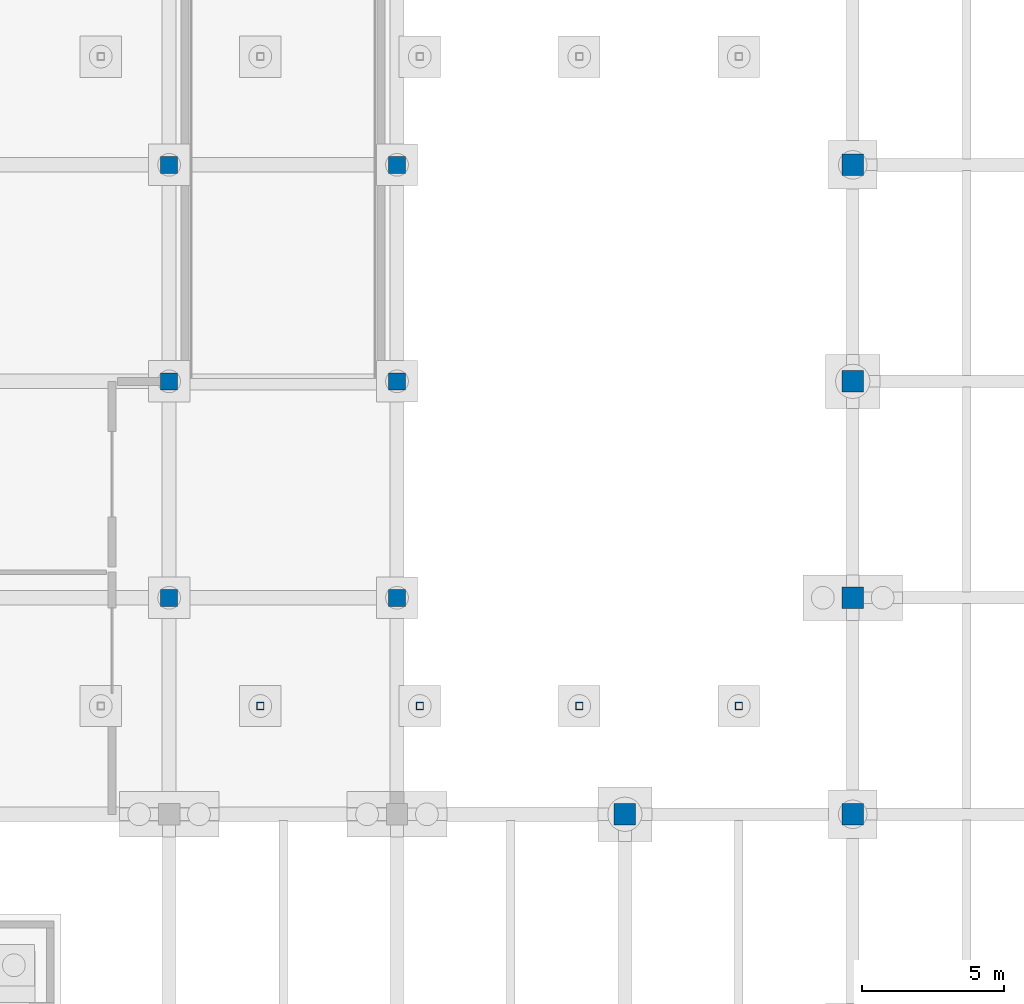
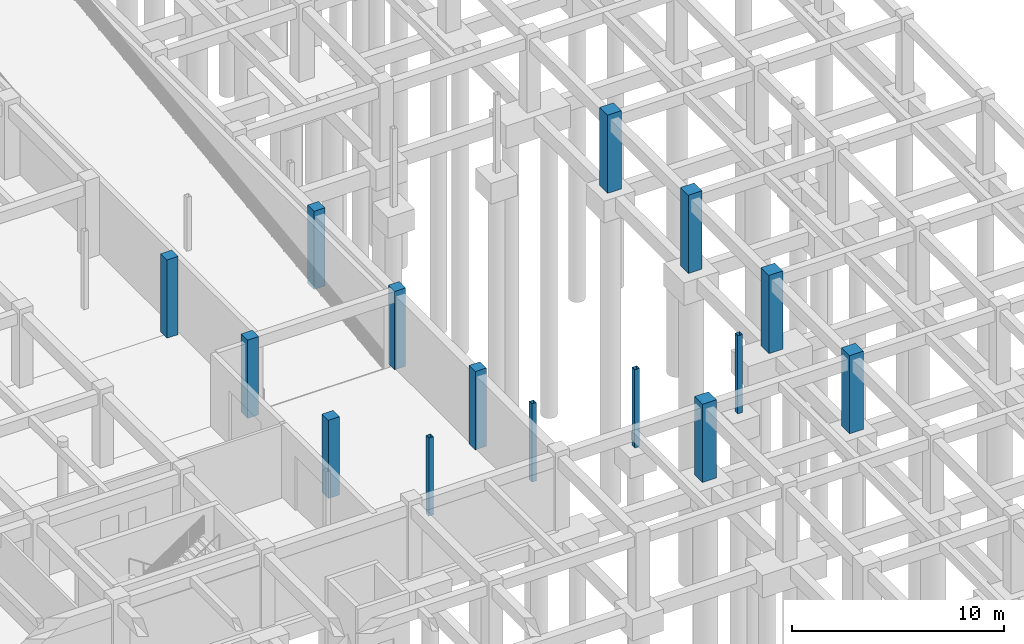
# One storey, part 23 of 49: 15 columns.
"""IFC4 building model written with IfcOpenShell, lengths in metres."""

from ifc_helpers import new_model, si_unit, direction, frame, origin, origin_2d, place, context, subcontext, project, spatial, rectangle, hollow_rectangle, extrude, material, material_profile, profile_set, type_object, element, save


model = new_model("IFC4")

# Units and contexts
model_context = context("Model", 3, precision=1e-05, world=origin(), true_north=direction((0.0, 1.0)))
body_context = subcontext(model_context, "Body", "Model", "MODEL_VIEW")
ifc_project = project(units=[si_unit("LENGTHUNIT", "METRE"), si_unit("AREAUNIT", "SQUARE_METRE"), si_unit("VOLUMEUNIT", "CUBIC_METRE"), si_unit("PLANEANGLEUNIT", "RADIAN"), si_unit("MASSUNIT", "GRAM", prefix="KILO")], contexts=[model_context])

# Site, building, storey
site_placement = place(None, origin())
site = spatial("IfcSite", under=ifc_project, at=site_placement, CompositionType="ELEMENT")
building_placement = place(site_placement, origin())
building = spatial("IfcBuilding", under=site, at=building_placement, Name="Zantavel Square City Hall", CompositionType="ELEMENT")
storey_placement = place(building_placement, frame((0.0, 0.0, -4.5)))
storey = spatial("IfcBuildingStorey", under=building, at=storey_placement, Name="B1", CompositionType="ELEMENT", Elevation=-4.5)

# Columns
ifc_material_1 = material(Name="Concrete C40/50", Category="concrete")
ifc_material_profile_1 = material_profile(ifc_material_1, rectangle(XDim=0.60009765625, YDim=0.60009765625, at=origin_2d()), Name="RC 600x600")
ifc_profile_set_1 = profile_set([ifc_material_profile_1], Name="Concrete C40/50")
column_type_1 = type_object("IfcColumnType", Name="Column RC 600x600 C40/50", PredefinedType="COLUMN", material=ifc_profile_set_1)
for number, where, z_axis, x_axis, name in (
    (1, (128.0, 45.60009765625, 0.0), (0.0, 0.0, 1.0), (1.0, 0.0, 0.0), "B1 Column COL-B1-1280-0456"),
    (2, (128.0, 53.199951171875, 0.0), (0.0, 0.0, 1.0), (1.0, 0.0, 0.0), "B1 Column COL-B1-1280-0532"),
    (3, (128.0, 60.800048828125, 0.0), (0.0, 0.0, 1.0), (1.0, 0.0, 0.0), "B1 Column COL-B1-1280-0608"),
    (4, (136.0, 45.60009765625, 0.0), (0.0, 0.0, 1.0), (1.0, 0.0, 0.0), "B1 Column COL-B1-1360-0456"),
    (5, (136.0, 53.199951171875, 0.0), (0.0, 0.0, 1.0), (1.0, 0.0, 0.0), "B1 Column COL-B1-1360-0532"),
    (6, (136.0, 60.800048828125, 0.0), (0.0, 0.0, 1.0), (1.0, 0.0, 0.0), "B1 Column COL-B1-1360-0608"),
):
    element("IfcColumn", number, at=place(storey_placement, frame(where, z_axis=z_axis, x_axis=x_axis)), inside=storey, type_object=column_type_1, Name=name, PredefinedType="COLUMN", context=body_context, shape_type="SweptSolid", body=[
        extrude(rectangle(XDim=0.60009765625, YDim=0.60009765625, at=origin_2d()), origin(), (0.0, 0.0, 1.0), 4.5),
    ])
ifc_material_profile_2 = material_profile(ifc_material_1, rectangle(XDim=0.75, YDim=0.75, at=origin_2d()), Name="RC 750x750")
ifc_profile_set_2 = profile_set([ifc_material_profile_2], Name="Concrete C40/50")
column_type_2 = type_object("IfcColumnType", Name="Column RC 750x750 C40/50", PredefinedType="COLUMN", material=ifc_profile_set_2)
for number, where, z_axis, x_axis, name in (
    (7, (144.0, 38.0, 0.0), (0.0, 0.0, 1.0), (1.0, 0.0, 0.0), "B1 Column COL-B1-1440-0380"),
    (8, (152.0, 38.0, 0.0), (0.0, 0.0, 1.0), (1.0, 0.0, 0.0), "B1 Column COL-B1-1520-0380"),
    (9, (152.0, 45.60009765625, 0.0), (0.0, 0.0, 1.0), (1.0, 0.0, 0.0), "B1 Column COL-B1-1520-0456"),
    (10, (152.0, 53.199951171875, 0.0), (0.0, 0.0, 1.0), (1.0, 0.0, 0.0), "B1 Column COL-B1-1520-0532"),
    (11, (152.0, 60.800048828125, 0.0), (0.0, 0.0, 1.0), (1.0, 0.0, 0.0), "B1 Column COL-B1-1520-0608"),
):
    element("IfcColumn", number, at=place(storey_placement, frame(where, z_axis=z_axis, x_axis=x_axis)), inside=storey, type_object=column_type_2, Name=name, PredefinedType="COLUMN", context=body_context, shape_type="SweptSolid", body=[
        extrude(rectangle(XDim=0.75, YDim=0.75, at=origin_2d()), origin(), (0.0, 0.0, 1.0), 4.5),
    ])
ifc_material_2 = material(Name="Steel ASTM A500 Grade B", Category="steel")
ifc_material_profile_3 = material_profile(ifc_material_2, hollow_rectangle(XDim=0.25390625, YDim=0.25390625, WallThickness=0.0126953125, at=origin_2d()), Name="HSS 254x254x12.7")
ifc_profile_set_3 = profile_set([ifc_material_profile_3], Name="Steel ASTM A500 Grade B")
column_type_3 = type_object("IfcColumnType", Name="Pavilion Steel Column HSS254", PredefinedType="COLUMN", material=ifc_profile_set_3)
for number, where, z_axis, x_axis, name in (
    (12, (131.199951171875, 41.800048828125, 0.0), (0.0, 0.0, 1.0), (1.0, 0.0, 0.0), "B1 Courtyard Skylight Column 2-S"),
    (13, (136.800048828125, 41.800048828125, 0.0), (0.0, 0.0, 1.0), (1.0, 0.0, 0.0), "B1 Courtyard Skylight Column 3-S"),
    (14, (142.39990234375, 41.800048828125, 0.0), (0.0, 0.0, 1.0), (1.0, 0.0, 0.0), "B1 Courtyard Skylight Column 4-S"),
    (15, (148.0, 41.800048828125, 0.0), (0.0, 0.0, 1.0), (1.0, 0.0, 0.0), "B1 Courtyard Skylight Column 5-S"),
):
    element("IfcColumn", number, at=place(storey_placement, frame(where, z_axis=z_axis, x_axis=x_axis)), inside=storey, type_object=column_type_3, Name=name, PredefinedType="COLUMN", context=body_context, shape_type="SweptSolid", body=[
        extrude(hollow_rectangle(XDim=0.25390625, YDim=0.25390625, WallThickness=0.0126953125, at=origin_2d()), origin(), (0.0, 0.0, 1.0), 4.5),
    ])

save(model, "model.ifc")
